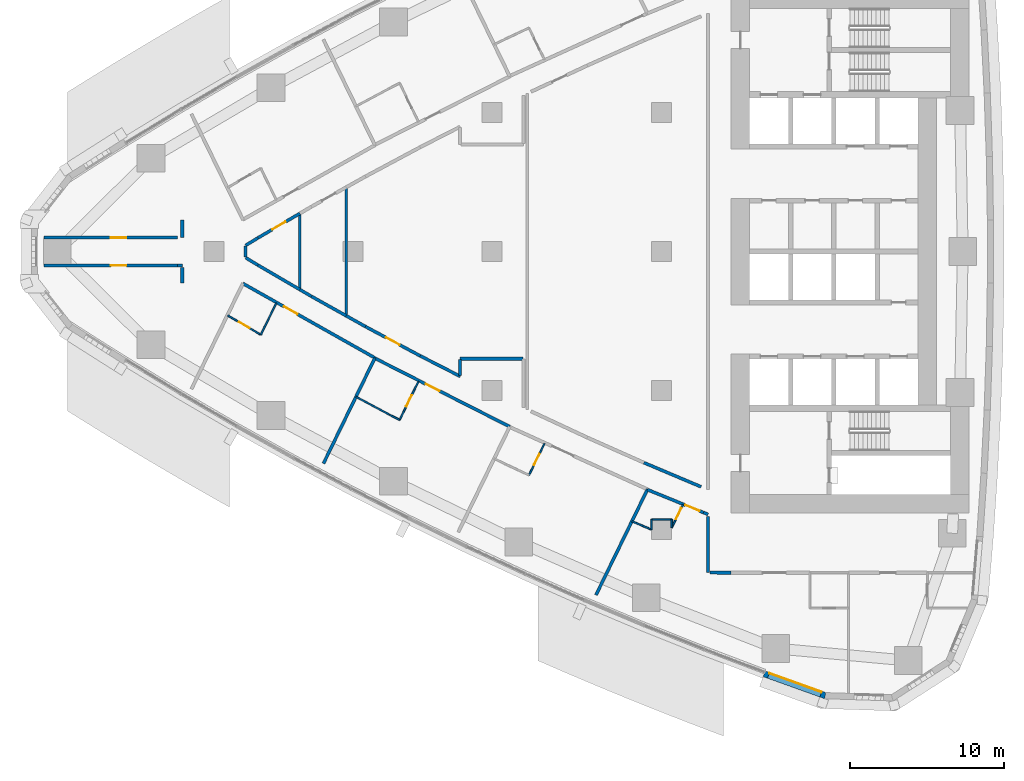
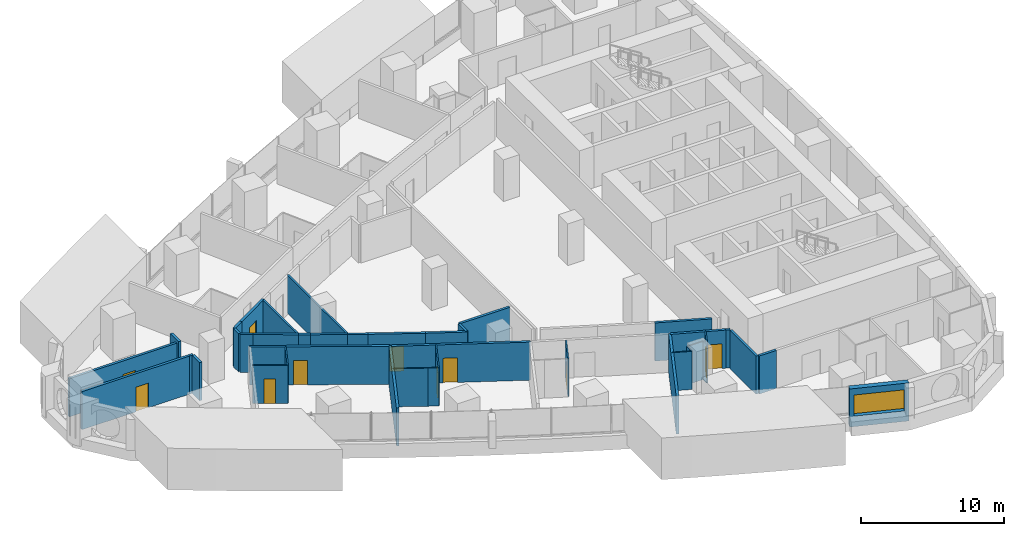
# One storey, part 9 of 18: 40 walls, 11 doors, 1 window, 12 openings.
"""IFC4 building model written with IfcOpenShell, lengths in metres."""

from ifc_helpers import new_model, si_unit, direction, frame, frame_2d, origin, place, context, subcontext, project, spatial, polyline, rectangle, outline, extrude, material, layer, layer_set, type_object, element, fill, save


model = new_model("IFC4")

# Units and contexts
model_context = context("Model", 3, precision=1e-05, world=origin(), true_north=direction((0.0, 1.0)))
body_context = subcontext(model_context, "Body", "Model", "MODEL_VIEW")
ifc_project = project(units=[si_unit("LENGTHUNIT", "METRE"), si_unit("AREAUNIT", "SQUARE_METRE"), si_unit("VOLUMEUNIT", "CUBIC_METRE"), si_unit("PLANEANGLEUNIT", "RADIAN"), si_unit("MASSUNIT", "GRAM", prefix="KILO")], contexts=[model_context])

# Site, building, storey
site_placement = place(None, origin())
site = spatial("IfcSite", under=ifc_project, at=site_placement, CompositionType="ELEMENT")
building_placement = place(site_placement, origin())
building = spatial("IfcBuilding", under=site, at=building_placement, Name="Ostrand Prow Hotel Tower", CompositionType="ELEMENT")
storey_placement = place(building_placement, frame((0.0, 0.0, 57.35009765625)))
storey = spatial("IfcBuildingStorey", under=building, at=storey_placement, Name="L12", CompositionType="ELEMENT", Elevation=57.35009765625)

# Wall
ifc_material_1 = material(Name="Plasterboard partition")
ifc_layer_1 = layer(ifc_material_1, 0.10009765625)
ifc_layer_set_1 = layer_set([ifc_layer_1], Name="Plasterboard partition")
wall_type_1 = type_object("IfcWallType", Name="Partition 100 bathroom wall", PredefinedType="PARTITIONING", material=ifc_layer_set_1)
wall_1_placement = place(storey_placement, frame((20.035400390625, -3.338134765625, 0.0), z_axis=(0.0, 0.0, 1.0), x_axis=(-0.438122322582, -0.898915363344, 0.0)))
element("IfcWall", 1, at=wall_1_placement, inside=storey, type_object=wall_type_1, Name="BATHROOM WALL", PredefinedType="PARTITIONING", context=body_context, shape_type="SweptSolid", body=[
    extrude(rectangle(XDim=2.282958984375, YDim=0.10009765625, at=frame_2d((1.1416015625, 0.0))), origin(), (0.0, 0.0, 1.0), 3.25),
])

# Wall, opening, door
wall_2_placement = place(storey_placement, frame((19.034912109375, -5.390380859375, 0.0), z_axis=(0.0, 0.0, 1.0), x_axis=(-0.863707305865, 0.503993739837, 0.0)))
wall_2 = element("IfcWall", 2, at=wall_2_placement, inside=storey, type_object=wall_type_1, Name="BATHROOM WALL", PredefinedType="PARTITIONING", context=body_context, shape_type="SweptSolid", body=[
    extrude(rectangle(XDim=2.473876953125, YDim=0.10009765625, at=frame_2d((1.23681640625, 0.0))), origin(), (0.0, 0.0, 1.0), 3.25),
])
opening_1_placement = place(wall_2_placement, frame((0.85009765625, 0.0, 0.0)))
opening_1 = element("IfcOpeningElement", 3, at=opening_1_placement, cuts=wall_2, Name="Opening D2", PredefinedType="OPENING", context=body_context, shape_type="SweptSolid", body=[
    extrude(rectangle(XDim=0.800048828125, YDim=2.10009765625, at=frame_2d((0.39990234375, 1.050048828125))), frame((0.0, 0.06005859375, 0.0), z_axis=(0.0, -1.0, 0.0), x_axis=(1.0, 0.0, 0.0)), (0.0, 0.0, 1.0), 0.1201171875),
])
ifc_material_2 = material(Name="Timber door leaf", Category="wood")
door_type_1 = type_object("IfcDoorType", Name="Bathroom door 800", OperationType="SINGLE_SWING_LEFT", PredefinedType="DOOR", material=ifc_material_2)
door_1_placement = place(opening_1_placement, origin())
door_1 = element("IfcDoor", 4, at=door_1_placement, inside=storey, type_object=door_type_1, Name="DOOR", OperationType="SINGLE_SWING_LEFT", OverallHeight=2.10009765625, OverallWidth=0.800048828125, PredefinedType="DOOR", context=body_context, shape_type="SweptSolid", body=[
    extrude(rectangle(XDim=0.800048828125, YDim=2.10009765625, at=frame_2d((0.39990234375, 1.050048828125))), frame((0.0, 0.02490234375, 0.0), z_axis=(0.0, -1.0, 0.0), x_axis=(1.0, 0.0, 0.0)), (0.0, 0.0, 1.0), 0.050048828125),
])
fill(opening_1, door_1)

wall_3_placement = place(storey_placement, frame((29.243896484375, -8.410888671875, 0.0), z_axis=(0.0, 0.0, 1.0), x_axis=(-0.438189818179, -0.898882463531, 0.0)))
wall_3 = element("IfcWall", 5, at=wall_3_placement, inside=storey, type_object=wall_type_1, Name="BATHROOM WALL", PredefinedType="PARTITIONING", context=body_context, shape_type="SweptSolid", body=[
    extrude(rectangle(XDim=2.77734375, YDim=0.10009765625, at=frame_2d((1.388671875, 0.0))), origin(), (0.0, 0.0, 1.0), 3.25),
])
opening_2_placement = place(wall_3_placement, frame((1.0, 0.0, 0.0)))
opening_2 = element("IfcOpeningElement", 6, at=opening_2_placement, cuts=wall_3, Name="Opening D2", PredefinedType="OPENING", context=body_context, shape_type="SweptSolid", body=[
    extrude(rectangle(XDim=0.800048828125, YDim=2.10009765625, at=frame_2d((0.39990234375, 1.050048828125))), frame((0.0, 0.06005859375, 0.0), z_axis=(0.0, -1.0, 0.0), x_axis=(1.0, 0.0, 0.0)), (0.0, 0.0, 1.0), 0.1201171875),
])
door_2_placement = place(opening_2_placement, origin())
door_2 = element("IfcDoor", 7, at=door_2_placement, inside=storey, type_object=door_type_1, Name="DOOR", OperationType="SINGLE_SWING_LEFT", OverallHeight=2.10009765625, OverallWidth=0.800048828125, PredefinedType="DOOR", context=body_context, shape_type="SweptSolid", body=[
    extrude(rectangle(XDim=0.800048828125, YDim=2.10009765625, at=frame_2d((0.39990234375, 1.050048828125))), frame((0.0, 0.02490234375, 0.0), z_axis=(0.0, -1.0, 0.0), x_axis=(1.0, 0.0, 0.0)), (0.0, 0.0, 1.0), 0.050048828125),
])
fill(opening_2, door_2)

# Walls
wall_4_placement = place(storey_placement, frame((28.02685546875, -10.907470703125, 0.0), z_axis=(0.0, 0.0, 1.0), x_axis=(-0.890195653003, 0.455578422858, 0.0)))
element("IfcWall", 8, at=wall_4_placement, inside=storey, type_object=wall_type_1, Name="BATHROOM WALL", PredefinedType="PARTITIONING", context=body_context, shape_type="SweptSolid", body=[
    extrude(rectangle(XDim=0.745361328125, YDim=0.10009765625, at=frame_2d((0.37255859375, 0.0))), origin(), (0.0, 0.0, 1.0), 3.25),
])
wall_5_placement = place(storey_placement, frame((27.36328125, -10.56787109375, 0.0), z_axis=(0.0, 0.0, 1.0), x_axis=(-0.881658684569, 0.471887660279, 0.0)))
element("IfcWall", 9, at=wall_5_placement, inside=storey, type_object=wall_type_1, Name="BATHROOM WALL", PredefinedType="PARTITIONING", context=body_context, shape_type="SweptSolid", body=[
    extrude(rectangle(XDim=2.45654296875, YDim=0.10009765625, at=frame_2d((1.228271484375, 0.0))), origin(), (0.0, 0.0, 1.0), 3.25),
])

# Wall, opening, door
wall_6_placement = place(storey_placement, frame((37.406005859375, -12.43505859375, 0.0), z_axis=(0.0, 0.0, 1.0), x_axis=(-0.438271544149, -0.898842618921, 0.0)))
wall_6 = element("IfcWall", 10, at=wall_6_placement, inside=storey, type_object=wall_type_1, Name="BATHROOM WALL", PredefinedType="PARTITIONING", context=body_context, shape_type="SweptSolid", body=[
    extrude(rectangle(XDim=2.27734375, YDim=0.10009765625, at=frame_2d((1.138671875, 0.0))), origin(), (0.0, 0.0, 1.0), 3.25),
])
opening_3_placement = place(wall_6_placement, frame((0.75, 0.0, 0.0)))
opening_3 = element("IfcOpeningElement", 11, at=opening_3_placement, cuts=wall_6, Name="Opening D2", PredefinedType="OPENING", context=body_context, shape_type="SweptSolid", body=[
    extrude(rectangle(XDim=0.800048828125, YDim=2.10009765625, at=frame_2d((0.39990234375, 1.050048828125))), frame((0.0, 0.06005859375, 0.0), z_axis=(0.0, -1.0, 0.0), x_axis=(1.0, 0.0, 0.0)), (0.0, 0.0, 1.0), 0.1201171875),
])
door_3_placement = place(opening_3_placement, origin())
door_3 = element("IfcDoor", 12, at=door_3_placement, inside=storey, type_object=door_type_1, Name="DOOR", OperationType="SINGLE_SWING_LEFT", OverallHeight=2.10009765625, OverallWidth=0.800048828125, PredefinedType="DOOR", context=body_context, shape_type="SweptSolid", body=[
    extrude(rectangle(XDim=0.800048828125, YDim=2.10009765625, at=frame_2d((0.39990234375, 1.050048828125))), frame((0.0, 0.02490234375, 0.0), z_axis=(0.0, -1.0, 0.0), x_axis=(1.0, 0.0, 0.0)), (0.0, 0.0, 1.0), 0.050048828125),
])
fill(opening_3, door_3)

wall_7_placement = place(storey_placement, frame((46.376953125, -16.39697265625, 0.0), z_axis=(0.0, 0.0, 1.0), x_axis=(-0.438301838547, -0.89882784688, 0.0)))
wall_7 = element("IfcWall", 13, at=wall_7_placement, inside=storey, type_object=wall_type_1, Name="BATHROOM WALL", PredefinedType="PARTITIONING", context=body_context, shape_type="SweptSolid", body=[
    extrude(rectangle(XDim=1.65869140625, YDim=0.10009765625, at=frame_2d((0.829345703125, 0.0))), origin(), (0.0, 0.0, 1.0), 3.25),
])
opening_4_placement = place(wall_7_placement, frame((0.25, 0.0, 0.0)))
opening_4 = element("IfcOpeningElement", 14, at=opening_4_placement, cuts=wall_7, Name="Opening D2", PredefinedType="OPENING", context=body_context, shape_type="SweptSolid", body=[
    extrude(rectangle(XDim=0.800048828125, YDim=2.10009765625, at=frame_2d((0.39990234375, 1.050048828125))), frame((0.0, 0.06005859375, 0.0), z_axis=(0.0, -1.0, 0.0), x_axis=(1.0, 0.0, 0.0)), (0.0, 0.0, 1.0), 0.1201171875),
])
door_4_placement = place(opening_4_placement, origin())
door_4 = element("IfcDoor", 15, at=door_4_placement, inside=storey, type_object=door_type_1, Name="DOOR", OperationType="SINGLE_SWING_LEFT", OverallHeight=2.10009765625, OverallWidth=0.800048828125, PredefinedType="DOOR", context=body_context, shape_type="SweptSolid", body=[
    extrude(rectangle(XDim=0.800048828125, YDim=2.10009765625, at=frame_2d((0.39990234375, 1.050048828125))), frame((0.0, 0.02490234375, 0.0), z_axis=(0.0, -1.0, 0.0), x_axis=(1.0, 0.0, 0.0)), (0.0, 0.0, 1.0), 0.050048828125),
])
fill(opening_4, door_4)

# Walls
wall_8_placement = place(storey_placement, frame((45.64990234375, -17.887939453125, 0.0), z_axis=(0.0, 0.0, 1.0), x_axis=(0.0, 1.0, 0.0)))
element("IfcWall", 16, at=wall_8_placement, inside=storey, type_object=wall_type_1, Name="BATHROOM WALL", PredefinedType="PARTITIONING", context=body_context, shape_type="SweptSolid", body=[
    extrude(rectangle(XDim=0.535888671875, YDim=0.10009765625, at=frame_2d((0.26806640625, 0.0))), origin(), (0.0, 0.0, 1.0), 3.25),
])
wall_9_placement = place(storey_placement, frame((45.64794921875, -17.35009765625, 0.0), z_axis=(0.0, 0.0, 1.0), x_axis=(-1.0, 0.0, 0.0)))
element("IfcWall", 17, at=wall_9_placement, inside=storey, type_object=wall_type_1, Name="BATHROOM WALL", PredefinedType="PARTITIONING", context=body_context, shape_type="SweptSolid", body=[
    extrude(rectangle(XDim=1.2958984375, YDim=0.10009765625, at=frame_2d((0.64794921875, 0.0))), origin(), (0.0, 0.0, 1.0), 3.25),
])
wall_10_placement = place(storey_placement, frame((44.35009765625, -17.35205078125, 0.0), z_axis=(0.0, 0.0, 1.0), x_axis=(0.0, -1.0, 0.0)))
element("IfcWall", 18, at=wall_10_placement, inside=storey, type_object=wall_type_1, Name="BATHROOM WALL", PredefinedType="PARTITIONING", context=body_context, shape_type="SweptSolid", body=[
    extrude(rectangle(XDim=0.660888671875, YDim=0.10009765625, at=frame_2d((0.33056640625, 0.0))), origin(), (0.0, 0.0, 1.0), 3.25),
])
wall_11_placement = place(storey_placement, frame((44.35009765625, -18.012939453125, 0.0), z_axis=(0.0, 0.0, 1.0), x_axis=(-0.921313965742, 0.388819465214, 0.0)))
element("IfcWall", 19, at=wall_11_placement, inside=storey, type_object=wall_type_1, Name="BATHROOM WALL", PredefinedType="PARTITIONING", context=body_context, shape_type="SweptSolid", body=[
    extrude(rectangle(XDim=1.38818359375, YDim=0.10009765625, at=frame_2d((0.694091796875, 0.0))), origin(), (0.0, 0.0, 1.0), 3.25),
])
ifc_material_3 = material(Name="Plasterboard partition")
ifc_layer_2 = layer(ifc_material_3, 0.14990234375)
ifc_layer_set_2 = layer_set([ifc_layer_2], Name="Plasterboard partition")
wall_type_2 = type_object("IfcWallType", Name="Partition 150 room partition", PredefinedType="PARTITIONING", material=ifc_layer_set_2)
wall_12_placement = place(storey_placement, frame((21.565185546875, -2.46728515625, 0.0), z_axis=(0.0, 0.0, 1.0), x_axis=(0.0, 1.0, 0.0)))
element("IfcWall", 20, at=wall_12_placement, inside=storey, type_object=wall_type_2, Name="ROOM PARTITION", PredefinedType="PARTITIONING", context=body_context, shape_type="SweptSolid", body=[
    extrude(rectangle(XDim=4.9345703125, YDim=0.14990234375, at=frame_2d((2.46728515625, 0.0))), origin(), (0.0, 0.0, 1.0), 3.25),
])
wall_13_placement = place(storey_placement, frame((24.565185546875, -4.1630859375, 0.0), z_axis=(0.0, 0.0, 1.0), x_axis=(0.0, 1.0, 0.0)))
element("IfcWall", 21, at=wall_13_placement, inside=storey, type_object=wall_type_2, Name="ROOM PARTITION", PredefinedType="PARTITIONING", context=body_context, shape_type="SweptSolid", body=[
    extrude(rectangle(XDim=8.326171875, YDim=0.14990234375, at=frame_2d((4.1630859375, 0.0))), origin(), (0.0, 0.0, 1.0), 3.25),
])

# Wall, opening, door
ifc_material_4 = material(Name="Plasterboard partition")
ifc_layer_3 = layer(ifc_material_4, 0.199951171875)
ifc_layer_set_3 = layer_set([ifc_layer_3], Name="Plasterboard partition")
wall_type_3 = type_object("IfcWallType", Name="Partition 200 corridor wall", PredefinedType="PARTITIONING", material=ifc_layer_set_3)
wall_14_placement = place(storey_placement, frame((17.87353515625, -2.068115234375, 0.0), z_axis=(0.0, 0.0, 1.0), x_axis=(0.871078318876, -0.491144136057, 0.0)))
wall_14 = element("IfcWall", 22, at=wall_14_placement, inside=storey, type_object=wall_type_3, Name="CORRIDOR WALL", PredefinedType="PARTITIONING", context=body_context, shape_type="SweptSolid", body=[
    extrude(rectangle(XDim=9.8173828125, YDim=0.199951171875, at=frame_2d((4.90869140625, 0.0))), origin(), (0.0, 0.0, 1.0), 3.25),
])
opening_5_placement = place(wall_14_placement, frame((3.050048828125, 0.0, 0.0)))
opening_5 = element("IfcOpeningElement", 23, at=opening_5_placement, cuts=wall_14, Name="Opening D1R", PredefinedType="OPENING", context=body_context, shape_type="SweptSolid", body=[
    extrude(rectangle(XDim=1.0, YDim=2.10009765625, at=frame_2d((0.5, 1.050048828125))), frame((0.0, 0.10986328125, 0.0), z_axis=(0.0, -1.0, 0.0), x_axis=(1.0, 0.0, 0.0)), (0.0, 0.0, 1.0), 0.219970703125),
])
ifc_material_5 = material(Name="Timber door leaf", Category="wood")
door_type_2 = type_object("IfcDoorType", Name="Guest room door 1000 right", OperationType="SINGLE_SWING_RIGHT", PredefinedType="DOOR", material=ifc_material_5)
door_5_placement = place(opening_5_placement, origin())
door_5 = element("IfcDoor", 24, at=door_5_placement, inside=storey, type_object=door_type_2, Name="DOOR", OperationType="SINGLE_SWING_RIGHT", OverallHeight=2.10009765625, OverallWidth=1.0, PredefinedType="DOOR", context=body_context, shape_type="SweptSolid", body=[
    extrude(rectangle(XDim=1.0, YDim=2.10009765625, at=frame_2d((0.5, 1.050048828125))), frame((0.0, 0.02490234375, 0.0), z_axis=(0.0, -1.0, 0.0), x_axis=(1.0, 0.0, 0.0)), (0.0, 0.0, 1.0), 0.050048828125),
])
fill(opening_5, door_5)

wall_15_placement = place(storey_placement, frame((26.41650390625, -6.907958984375, 0.0), z_axis=(0.0, 0.0, 1.0), x_axis=(0.891700643128, -0.452625632334, 0.0)))
wall_15 = element("IfcWall", 25, at=wall_15_placement, inside=storey, type_object=wall_type_3, Name="CORRIDOR WALL", PredefinedType="PARTITIONING", context=body_context, shape_type="SweptSolid", body=[
    extrude(rectangle(XDim=9.80126953125, YDim=0.199951171875, at=frame_2d((4.900634765625, 0.0))), origin(), (0.0, 0.0, 1.0), 3.25),
])
opening_6_placement = place(wall_15_placement, frame((3.699951171875, 0.0, 0.0)))
opening_6 = element("IfcOpeningElement", 26, at=opening_6_placement, cuts=wall_15, Name="Opening D1R", PredefinedType="OPENING", context=body_context, shape_type="SweptSolid", body=[
    extrude(rectangle(XDim=1.0, YDim=2.10009765625, at=frame_2d((0.5, 1.050048828125))), frame((0.0, 0.10986328125, 0.0), z_axis=(0.0, -1.0, 0.0), x_axis=(1.0, 0.0, 0.0)), (0.0, 0.0, 1.0), 0.219970703125),
])
door_6_placement = place(opening_6_placement, origin())
door_6 = element("IfcDoor", 27, at=door_6_placement, inside=storey, type_object=door_type_2, Name="DOOR", OperationType="SINGLE_SWING_RIGHT", OverallHeight=2.10009765625, OverallWidth=1.0, PredefinedType="DOOR", context=body_context, shape_type="SweptSolid", body=[
    extrude(rectangle(XDim=1.0, YDim=2.10009765625, at=frame_2d((0.5, 1.050048828125))), frame((0.0, 0.02490234375, 0.0), z_axis=(0.0, -1.0, 0.0), x_axis=(1.0, 0.0, 0.0)), (0.0, 0.0, 1.0), 0.050048828125),
])
fill(opening_6, door_6)

wall_16_placement = place(storey_placement, frame((18.843505859375, 0.879150390625, 0.0), z_axis=(0.0, 0.0, 1.0), x_axis=(0.86371145221, 0.503986634071, 0.0)))
wall_16 = element("IfcWall", 28, at=wall_16_placement, inside=storey, type_object=wall_type_3, Name="CORRIDOR WALL", PredefinedType="PARTITIONING", context=body_context, shape_type="SweptSolid", body=[
    extrude(rectangle(XDim=3.151123046875, YDim=0.199951171875, at=frame_2d((1.57568359375, 0.0))), origin(), (0.0, 0.0, 1.0), 3.25),
])
opening_7_placement = place(wall_16_placement, frame((1.07568359375, 0.0, 0.0)))
opening_7 = element("IfcOpeningElement", 29, at=opening_7_placement, cuts=wall_16, Name="Opening D1", PredefinedType="OPENING", context=body_context, shape_type="SweptSolid", body=[
    extrude(rectangle(XDim=1.0, YDim=2.10009765625, at=frame_2d((0.5, 1.050048828125))), frame((0.0, 0.10986328125, 0.0), z_axis=(0.0, -1.0, 0.0), x_axis=(1.0, 0.0, 0.0)), (0.0, 0.0, 1.0), 0.219970703125),
])
ifc_material_6 = material(Name="Timber door leaf", Category="wood")
door_type_3 = type_object("IfcDoorType", Name="Guest room door 1000", OperationType="SINGLE_SWING_LEFT", PredefinedType="DOOR", material=ifc_material_6)
door_7_placement = place(opening_7_placement, origin())
door_7 = element("IfcDoor", 30, at=door_7_placement, inside=storey, type_object=door_type_3, Name="DOOR", OperationType="SINGLE_SWING_LEFT", OverallHeight=2.10009765625, OverallWidth=1.0, PredefinedType="DOOR", context=body_context, shape_type="SweptSolid", body=[
    extrude(rectangle(XDim=1.0, YDim=2.10009765625, at=frame_2d((0.5, 1.050048828125))), frame((0.0, 0.02490234375, 0.0), z_axis=(0.0, -1.0, 0.0), x_axis=(1.0, 0.0, 0.0)), (0.0, 0.0, 1.0), 0.050048828125),
])
fill(opening_7, door_7)

# Walls
for number, where, z_axis, x_axis, name in (
    (31, (18.843505859375, -0.879150390625, 0.0), (0.0, 0.0, 1.0), (-0.8542290073, 0.519896915828, 0.0), "CORRIDOR WALL"),
    (32, (18.050048828125, 0.396240234375, 0.0), (0.0, 0.0, 1.0), (0.8542290073, 0.519896915828, 0.0), "CORRIDOR WALL"),
):
    element("IfcWall", number, at=place(storey_placement, frame(where, z_axis=z_axis, x_axis=x_axis)), inside=storey, type_object=wall_type_3, Name=name, PredefinedType="PARTITIONING", context=body_context, shape_type="SweptSolid", body=[
        extrude(rectangle(XDim=0.928955078125, YDim=0.199951171875, at=frame_2d((0.46435546875, 0.0))), origin(), (0.0, 0.0, 1.0), 3.25),
    ])
wall_17_placement = place(storey_placement, frame((21.565185546875, -2.46728515625, 0.0), z_axis=(0.0, 0.0, 1.0), x_axis=(-0.86371145221, 0.503986634071, 0.0)))
element("IfcWall", 33, at=wall_17_placement, inside=storey, type_object=wall_type_3, Name="CORRIDOR WALL", PredefinedType="PARTITIONING", context=body_context, shape_type="SweptSolid", body=[
    extrude(rectangle(XDim=3.151123046875, YDim=0.199951171875, at=frame_2d((1.57568359375, 0.0))), origin(), (0.0, 0.0, 1.0), 3.25),
])
wall_18_placement = place(storey_placement, frame((22.31201171875, -2.903076171875, 0.0), z_axis=(0.0, 0.0, 1.0), x_axis=(-0.863707207562, 0.503993908303, 0.0)))
element("IfcWall", 34, at=wall_18_placement, inside=storey, type_object=wall_type_3, Name="CORRIDOR WALL", PredefinedType="PARTITIONING", context=body_context, shape_type="SweptSolid", body=[
    extrude(rectangle(XDim=0.86474609375, YDim=0.199951171875, at=frame_2d((0.432373046875, 0.0))), origin(), (0.0, 0.0, 1.0), 3.25),
])
wall_19_placement = place(storey_placement, frame((24.565185546875, -4.1630859375, 0.0), z_axis=(0.0, 0.0, 1.0), x_axis=(-0.872797752414, 0.488082045748, 0.0)))
element("IfcWall", 35, at=wall_19_placement, inside=storey, type_object=wall_type_3, Name="CORRIDOR WALL", PredefinedType="PARTITIONING", context=body_context, shape_type="SweptSolid", body=[
    extrude(rectangle(XDim=2.58154296875, YDim=0.199951171875, at=frame_2d((1.290771484375, 0.0))), origin(), (0.0, 0.0, 1.0), 3.25),
])

# Wall, opening, door
wall_20_placement = place(storey_placement, frame((29.357421875, -6.758056640625, 0.0), z_axis=(0.0, 0.0, 1.0), x_axis=(-0.881655245922, 0.471894084874, 0.0)))
wall_20 = element("IfcWall", 36, at=wall_20_placement, inside=storey, type_object=wall_type_3, Name="CORRIDOR WALL", PredefinedType="PARTITIONING", context=body_context, shape_type="SweptSolid", body=[
    extrude(rectangle(XDim=4.015869140625, YDim=0.199951171875, at=frame_2d((2.0078125, 0.0))), origin(), (0.0, 0.0, 1.0), 3.25),
])
opening_8_placement = place(wall_20_placement, frame((1.5078125, 0.0, 0.0)))
opening_8 = element("IfcOpeningElement", 37, at=opening_8_placement, cuts=wall_20, Name="Opening D1", PredefinedType="OPENING", context=body_context, shape_type="SweptSolid", body=[
    extrude(rectangle(XDim=1.0, YDim=2.10009765625, at=frame_2d((0.5, 1.050048828125))), frame((0.0, 0.10986328125, 0.0), z_axis=(0.0, -1.0, 0.0), x_axis=(1.0, 0.0, 0.0)), (0.0, 0.0, 1.0), 0.219970703125),
])
door_8_placement = place(opening_8_placement, origin())
door_8 = element("IfcDoor", 38, at=door_8_placement, inside=storey, type_object=door_type_3, Name="DOOR", OperationType="SINGLE_SWING_LEFT", OverallHeight=2.10009765625, OverallWidth=1.0, PredefinedType="DOOR", context=body_context, shape_type="SweptSolid", body=[
    extrude(rectangle(XDim=1.0, YDim=2.10009765625, at=frame_2d((0.5, 1.050048828125))), frame((0.0, 0.02490234375, 0.0), z_axis=(0.0, -1.0, 0.0), x_axis=(1.0, 0.0, 0.0)), (0.0, 0.0, 1.0), 0.050048828125),
])
fill(opening_8, door_8)

# Walls
wall_21_placement = place(storey_placement, frame((31.949951171875, -8.084716796875, 0.0), z_axis=(0.0, 0.0, 1.0), x_axis=(-0.890213377055, 0.455543788579, 0.0)))
element("IfcWall", 39, at=wall_21_placement, inside=storey, type_object=wall_type_3, Name="CORRIDOR WALL", PredefinedType="PARTITIONING", context=body_context, shape_type="SweptSolid", body=[
    extrude(rectangle(XDim=2.912353515625, YDim=0.199951171875, at=frame_2d((1.4560546875, 0.0))), origin(), (0.0, 0.0, 1.0), 3.25),
])
wall_22_placement = place(storey_placement, frame((25.81689453125, -4.863037109375, 0.0), z_axis=(0.0, 0.0, 1.0), x_axis=(-0.872804855849, 0.488069343031, 0.0)))
element("IfcWall", 40, at=wall_22_placement, inside=storey, type_object=wall_type_3, Name="CORRIDOR WALL", PredefinedType="PARTITIONING", context=body_context, shape_type="SweptSolid", body=[
    extrude(rectangle(XDim=1.43408203125, YDim=0.199951171875, at=frame_2d((0.717041015625, 0.0))), origin(), (0.0, 0.0, 1.0), 3.25),
])
wall_23_placement = place(storey_placement, frame((47.549560546875, -15.239013671875, 0.0), z_axis=(0.0, 0.0, 1.0), x_axis=(-0.921269894054, 0.388923877269, 0.0)))
element("IfcWall", 41, at=wall_23_placement, inside=storey, type_object=wall_type_3, Name="CORRIDOR WALL", PredefinedType="PARTITIONING", context=body_context, shape_type="SweptSolid", body=[
    extrude(rectangle(XDim=4.015625, YDim=0.199951171875, at=frame_2d((2.0078125, 0.0))), origin(), (0.0, 0.0, 1.0), 3.25),
])

# Wall, opening, door
wall_24_placement = place(storey_placement, frame((4.977294921875, 0.89990234375, 0.0), z_axis=(0.0, 0.0, 1.0), x_axis=(1.0, 0.0, 0.0)))
wall_24 = element("IfcWall", 42, at=wall_24_placement, inside=storey, type_object=wall_type_3, Name="CORRIDOR WALL", PredefinedType="PARTITIONING", context=body_context, shape_type="SweptSolid", body=[
    extrude(rectangle(XDim=8.672607421875, YDim=0.199951171875, at=frame_2d((4.33642578125, 0.0))), origin(), (0.0, 0.0, 1.0), 3.25),
])
opening_9_placement = place(wall_24_placement, frame((4.344970703125, 0.0, 0.0)))
opening_9 = element("IfcOpeningElement", 43, at=opening_9_placement, cuts=wall_24, Name="Opening D1", PredefinedType="OPENING", context=body_context, shape_type="SweptSolid", body=[
    extrude(rectangle(XDim=1.0, YDim=2.10009765625, at=frame_2d((0.5, 1.050048828125))), frame((0.0, 0.10986328125, 0.0), z_axis=(0.0, -1.0, 0.0), x_axis=(1.0, 0.0, 0.0)), (0.0, 0.0, 1.0), 0.219970703125),
])
door_9_placement = place(opening_9_placement, origin())
door_9 = element("IfcDoor", 44, at=door_9_placement, inside=storey, type_object=door_type_3, Name="DOOR", OperationType="SINGLE_SWING_LEFT", OverallHeight=2.10009765625, OverallWidth=1.0, PredefinedType="DOOR", context=body_context, shape_type="SweptSolid", body=[
    extrude(rectangle(XDim=1.0, YDim=2.10009765625, at=frame_2d((0.5, 1.050048828125))), frame((0.0, 0.02490234375, 0.0), z_axis=(0.0, -1.0, 0.0), x_axis=(1.0, 0.0, 0.0)), (0.0, 0.0, 1.0), 0.050048828125),
])
fill(opening_9, door_9)

wall_25_placement = place(storey_placement, frame((4.977294921875, -0.89990234375, 0.0), z_axis=(0.0, 0.0, 1.0), x_axis=(1.0, 0.0, 0.0)))
wall_25 = element("IfcWall", 45, at=wall_25_placement, inside=storey, type_object=wall_type_3, Name="CORRIDOR WALL", PredefinedType="PARTITIONING", context=body_context, shape_type="SweptSolid", body=[
    extrude(rectangle(XDim=8.672607421875, YDim=0.199951171875, at=frame_2d((4.33642578125, 0.0))), origin(), (0.0, 0.0, 1.0), 3.25),
])
opening_10_placement = place(wall_25_placement, frame((4.344970703125, 0.0, 0.0)))
opening_10 = element("IfcOpeningElement", 46, at=opening_10_placement, cuts=wall_25, Name="Opening D1R", PredefinedType="OPENING", context=body_context, shape_type="SweptSolid", body=[
    extrude(rectangle(XDim=1.0, YDim=2.10009765625, at=frame_2d((0.5, 1.050048828125))), frame((0.0, 0.10986328125, 0.0), z_axis=(0.0, -1.0, 0.0), x_axis=(1.0, 0.0, 0.0)), (0.0, 0.0, 1.0), 0.219970703125),
])
door_10_placement = place(opening_10_placement, origin())
door_10 = element("IfcDoor", 47, at=door_10_placement, inside=storey, type_object=door_type_2, Name="DOOR", OperationType="SINGLE_SWING_RIGHT", OverallHeight=2.10009765625, OverallWidth=1.0, PredefinedType="DOOR", context=body_context, shape_type="SweptSolid", body=[
    extrude(rectangle(XDim=1.0, YDim=2.10009765625, at=frame_2d((0.5, 1.050048828125))), frame((0.0, 0.02490234375, 0.0), z_axis=(0.0, -1.0, 0.0), x_axis=(1.0, 0.0, 0.0)), (0.0, 0.0, 1.0), 0.050048828125),
])
fill(opening_10, door_10)

wall_26_placement = place(storey_placement, frame((44.071533203125, -15.420654296875, 0.0), z_axis=(0.0, 0.0, 1.0), x_axis=(0.925861862022, -0.377862160653, 0.0)))
wall_26 = element("IfcWall", 48, at=wall_26_placement, inside=storey, type_object=wall_type_3, Name="CORRIDOR WALL", PredefinedType="PARTITIONING", context=body_context, shape_type="SweptSolid", body=[
    extrude(rectangle(XDim=3.923095703125, YDim=0.199951171875, at=frame_2d((1.96142578125, 0.0))), origin(), (0.0, 0.0, 1.0), 3.25),
])
opening_11_placement = place(wall_26_placement, frame((2.64990234375, 0.0, 0.0)))
opening_11 = element("IfcOpeningElement", 49, at=opening_11_placement, cuts=wall_26, Name="Opening D1R", PredefinedType="OPENING", context=body_context, shape_type="SweptSolid", body=[
    extrude(rectangle(XDim=1.0, YDim=2.10009765625, at=frame_2d((0.5, 1.050048828125))), frame((0.0, 0.10986328125, 0.0), z_axis=(0.0, -1.0, 0.0), x_axis=(1.0, 0.0, 0.0)), (0.0, 0.0, 1.0), 0.219970703125),
])
door_11_placement = place(opening_11_placement, origin())
door_11 = element("IfcDoor", 50, at=door_11_placement, inside=storey, type_object=door_type_2, Name="DOOR", OperationType="SINGLE_SWING_RIGHT", OverallHeight=2.10009765625, OverallWidth=1.0, PredefinedType="DOOR", context=body_context, shape_type="SweptSolid", body=[
    extrude(rectangle(XDim=1.0, YDim=2.10009765625, at=frame_2d((0.5, 1.050048828125))), frame((0.0, 0.02490234375, 0.0), z_axis=(0.0, -1.0, 0.0), x_axis=(1.0, 0.0, 0.0)), (0.0, 0.0, 1.0), 0.050048828125),
])
fill(opening_11, door_11)

# Walls
wall_27_placement = place(storey_placement, frame((18.054931640625, -0.356689453125, 0.0), z_axis=(0.0, 0.0, 1.0), x_axis=(0.0, 1.0, 0.0)))
element("IfcWall", 51, at=wall_27_placement, inside=storey, type_object=wall_type_3, Name="CORRIDOR WALL", PredefinedType="PARTITIONING", context=body_context, shape_type="SweptSolid", body=[
    extrude(rectangle(XDim=0.71337890625, YDim=0.199951171875, at=frame_2d((0.356689453125, 0.0))), origin(), (0.0, 0.0, 1.0), 3.25),
])
wall_28_placement = place(storey_placement, frame((36.012451171875, -6.945556640625, 0.0), z_axis=(0.0, 0.0, 1.0), x_axis=(-0.999999998196, 6.0074492e-05, 0.0)))
element("IfcWall", 52, at=wall_28_placement, inside=storey, type_object=wall_type_3, Name="CORRIDOR WALL", PredefinedType="PARTITIONING", context=body_context, shape_type="SweptSolid", body=[
    extrude(rectangle(XDim=4.06396484375, YDim=0.199951171875, at=frame_2d((2.031982421875, 0.0))), origin(), (0.0, 0.0, 1.0), 3.25),
])
wall_29_placement = place(storey_placement, frame((31.948486328125, -6.985107421875, 0.0), z_axis=(0.0, 0.0, 1.0), x_axis=(-0.003248242724, -0.999994724446, 0.0)))
element("IfcWall", 53, at=wall_29_placement, inside=storey, type_object=wall_type_3, Name="CORRIDOR WALL", PredefinedType="PARTITIONING", context=body_context, shape_type="SweptSolid", body=[
    extrude(rectangle(XDim=1.05224609375, YDim=0.199951171875, at=frame_2d((0.526123046875, 0.0))), origin(), (0.0, 0.0, 1.0), 3.25),
])
wall_30_placement = place(storey_placement, frame((13.945556640625, 2.052490234375, 0.0), z_axis=(0.0, 0.0, 1.0), x_axis=(-0.000423818568, -0.999999910189, 0.0)))
element("IfcWall", 54, at=wall_30_placement, inside=storey, type_object=wall_type_3, Name="CORRIDOR WALL", PredefinedType="PARTITIONING", context=body_context, shape_type="SweptSolid", body=[
    extrude(rectangle(XDim=1.152099609375, YDim=0.199951171875, at=frame_2d((0.576171875, 0.0))), origin(), (0.0, 0.0, 1.0), 3.25),
])
wall_31_placement = place(storey_placement, frame((13.64990234375, -0.89990234375, 0.0), z_axis=(0.0, 0.0, 1.0), x_axis=(0.99999876, -0.001574801197, 0.0)))
element("IfcWall", 55, at=wall_31_placement, inside=storey, type_object=wall_type_3, Name="CORRIDOR WALL", PredefinedType="PARTITIONING", context=body_context, shape_type="SweptSolid", body=[
    extrude(rectangle(XDim=0.31005859375, YDim=0.199951171875, at=frame_2d((0.155029296875, 0.0))), origin(), (0.0, 0.0, 1.0), 3.25),
])
wall_32_placement = place(storey_placement, frame((13.945068359375, -1.0205078125, 0.0), z_axis=(0.0, 0.0, 1.0), x_axis=(0.000473148752, -0.999999888065, 0.0)))
element("IfcWall", 56, at=wall_32_placement, inside=storey, type_object=wall_type_3, Name="CORRIDOR WALL", PredefinedType="PARTITIONING", context=body_context, shape_type="SweptSolid", body=[
    extrude(rectangle(XDim=1.031982421875, YDim=0.199951171875, at=frame_2d((0.51611328125, 0.0))), origin(), (0.0, 0.0, 1.0), 3.25),
])
wall_33_placement = place(storey_placement, frame((47.703857421875, -16.903076171875, 0.0), z_axis=(0.0, 0.0, 1.0), x_axis=(0.919891741777, -0.392172389913, 0.0)))
element("IfcWall", 57, at=wall_33_placement, inside=storey, type_object=wall_type_3, Name="CORRIDOR WALL", PredefinedType="PARTITIONING", context=body_context, shape_type="SweptSolid", body=[
    extrude(rectangle(XDim=0.320556640625, YDim=0.199951171875, at=frame_2d((0.16015625, 0.0))), origin(), (0.0, 0.0, 1.0), 3.25),
])
wall_34_placement = place(storey_placement, frame((47.99853515625, -17.148681640625, 0.0), z_axis=(0.0, 0.0, 1.0), x_axis=(-0.000868751343, -0.999999622635, 0.0)))
element("IfcWall", 58, at=wall_34_placement, inside=storey, type_object=wall_type_3, Name="CORRIDOR WALL", PredefinedType="PARTITIONING", context=body_context, shape_type="SweptSolid", body=[
    extrude(rectangle(XDim=3.6533203125, YDim=0.199951171875, at=frame_2d((1.82666015625, 0.0))), origin(), (0.0, 0.0, 1.0), 3.25),
])
wall_35_placement = place(storey_placement, frame((48.115478515625, -20.802001953125, 0.0), z_axis=(0.0, 0.0, 1.0), x_axis=(0.999997761218, -0.002116024182, 0.0)))
element("IfcWall", 59, at=wall_35_placement, inside=storey, type_object=wall_type_3, Name="CORRIDOR WALL", PredefinedType="PARTITIONING", context=body_context, shape_type="SweptSolid", body=[
    extrude(rectangle(XDim=1.384521484375, YDim=0.199951171875, at=frame_2d((0.6923828125, 0.0))), origin(), (0.0, 0.0, 1.0), 3.25),
])
ifc_material_7 = material(Name="Plasterboard partition")
ifc_layer_4 = layer(ifc_material_7, 0.199951171875)
ifc_layer_set_4 = layer_set([ifc_layer_4], Name="Plasterboard partition")
wall_type_4 = type_object("IfcWallType", Name="Partition 200 key partition", PredefinedType="PARTITIONING", material=ifc_layer_set_4)
wall_36_placement = place(storey_placement, frame((23.092529296875, -13.726318359375, 0.0), z_axis=(0.0, 0.0, 1.0), x_axis=(0.438202895602, 0.898876088394, 0.0)))
element("IfcWall", 60, at=wall_36_placement, inside=storey, type_object=wall_type_4, Name="KEY PARTITION", PredefinedType="PARTITIONING", context=body_context, shape_type="SweptSolid", body=[
    extrude(rectangle(XDim=7.60546875, YDim=0.199951171875, at=frame_2d((3.802734375, 0.0))), origin(), (0.0, 0.0, 1.0), 3.25),
])
wall_37_placement = place(storey_placement, frame((40.7451171875, -22.244140625, 0.0), z_axis=(0.0, 0.0, 1.0), x_axis=(0.438196739796, 0.898879089328, 0.0)))
element("IfcWall", 61, at=wall_37_placement, inside=storey, type_object=wall_type_4, Name="KEY PARTITION", PredefinedType="PARTITIONING", context=body_context, shape_type="SweptSolid", body=[
    extrude(rectangle(XDim=7.611083984375, YDim=0.199951171875, at=frame_2d((3.8056640625, 0.0))), origin(), (0.0, 0.0, 1.0), 3.25),
])

# Wall, opening, window
ifc_material_8 = material(Name="Precast concrete C40/50", Category="concrete")
ifc_layer_5 = layer(ifc_material_8, 0.39990234375)
ifc_layer_set_5 = layer_set([ifc_layer_5], Name="Precast concrete C40/50")
wall_type_5 = type_object("IfcWallType", Name="Stone-faced precast wall 400 mm", PredefinedType="NOTDEFINED", material=ifc_layer_set_5)
wall_38_placement = place(storey_placement, frame((51.639892578125, -27.3515625, 0.0), z_axis=(0.0, 0.0, 1.0), x_axis=(0.941339752885, -0.337460323057, 0.0)))
wall_38 = element("IfcWall", 62, at=wall_38_placement, inside=storey, type_object=wall_type_5, Name="Stone-faced wall back 1", PredefinedType="NOTDEFINED", context=body_context, shape_type="SweptSolid", body=[
    extrude(outline(polyline([(0.0, -0.199951171875), (4.2275390625, -0.199951171875), (4.16455078125, 0.199951171875), (0.0, 0.199951171875), (0.0, -0.199951171875)])), origin(), (0.0, 0.0, 1.0), 3.25),
])
opening_12_placement = place(wall_38_placement, frame((0.298095703125, 0.0, 0.89990234375)))
opening_12 = element("IfcOpeningElement", 63, at=opening_12_placement, cuts=wall_38, Name="Opening WS3-36", PredefinedType="OPENING", context=body_context, shape_type="SweptSolid", body=[
    extrude(rectangle(XDim=3.60009765625, YDim=1.800048828125, at=frame_2d((1.800048828125, 0.89990234375))), frame((0.0, 0.2099609375, 0.0), z_axis=(0.0, -1.0, 0.0), x_axis=(1.0, 0.0, 0.0)), (0.0, 0.0, 1.0), 0.419921875),
])
ifc_material_9 = material(Name="Insulated glass in bronze frame", Category="glass")
window_type = type_object("IfcWindowType", Name="Strip window 3600x1800", PartitioningType="SINGLE_PANEL", PredefinedType="WINDOW", material=ifc_material_9)
window_placement = place(opening_12_placement, origin())
window = element("IfcWindow", 64, at=window_placement, inside=storey, type_object=window_type, Name="Window back 1.1", OverallHeight=1.800048828125, OverallWidth=3.60009765625, PartitioningType="SINGLE_PANEL", PredefinedType="WINDOW", context=body_context, shape_type="SweptSolid", body=[
    extrude(rectangle(XDim=3.60009765625, YDim=1.800048828125, at=frame_2d((1.800048828125, 0.89990234375))), frame((0.0, 0.169921875, 0.0), z_axis=(0.0, -1.0, 0.0), x_axis=(1.0, 0.0, 0.0)), (0.0, 0.0, 1.0), 0.06005859375),
])
fill(opening_12, window)

save(model, "model.ifc")
